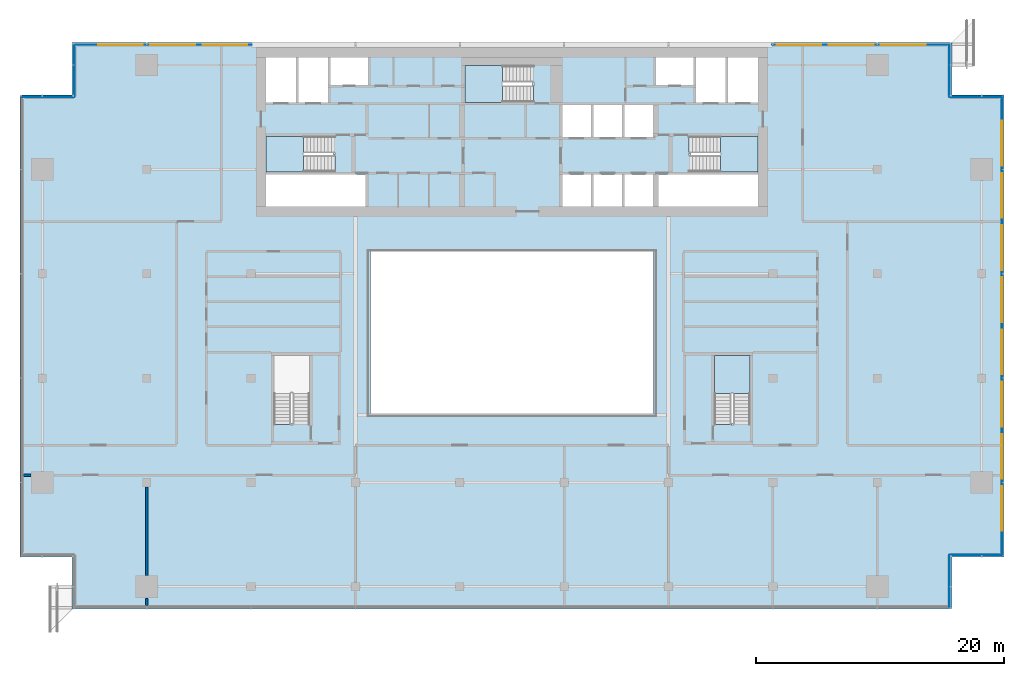
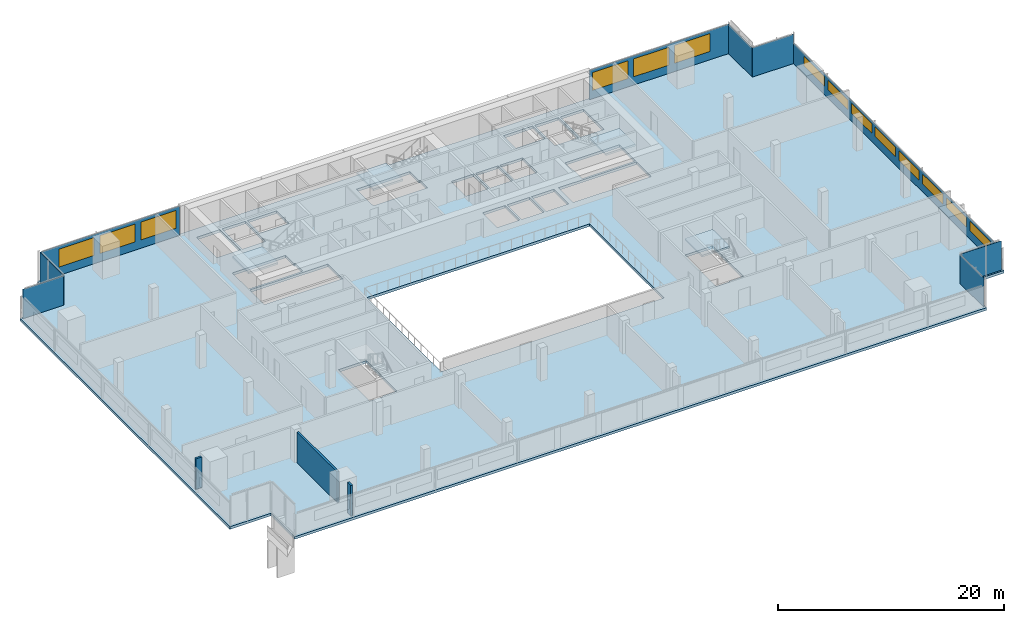
# One storey, part 16 of 24: 14 windows, 9 plates, 5 slabs, 3 walls, 14 openings, 12 elements without a shape of their own.
"""IFC4 building model written with IfcOpenShell, lengths in metres."""

from ifc_helpers import new_model, si_unit, direction, frame, frame_2d, origin, place, context, subcontext, project, spatial, polyline, rectangle, outline, extrude, material, layer, layer_set, type_object, element, fill, aggregate, save


model = new_model("IFC4")

# Units and contexts
model_context = context("Model", 3, precision=1e-05, world=origin(), true_north=direction((0.0, 1.0)))
body_context = subcontext(model_context, "Body", "Model", "MODEL_VIEW")
ifc_project = project(units=[si_unit("LENGTHUNIT", "METRE"), si_unit("AREAUNIT", "SQUARE_METRE"), si_unit("VOLUMEUNIT", "CUBIC_METRE"), si_unit("PLANEANGLEUNIT", "RADIAN"), si_unit("MASSUNIT", "GRAM", prefix="KILO")], contexts=[model_context])

# Site, building, storey
site_placement = place(None, origin())
site = spatial("IfcSite", under=ifc_project, at=site_placement, CompositionType="ELEMENT")
building_placement = place(site_placement, origin())
building = spatial("IfcBuilding", under=site, at=building_placement, Name="Saffron Gate Tower", CompositionType="ELEMENT")
storey_placement = place(building_placement, frame((0.0, 0.0, 190.64990234375)))
storey = spatial("IfcBuildingStorey", under=building, at=storey_placement, Name="L47", CompositionType="ELEMENT", Elevation=190.64990234375)

# Curtain wall, plate, openings, windows
ifc_material_1 = material(Name="Aluminium, bronze anodised", Category="aluminium")
curtain_wall_type_1 = type_object("IfcCurtainWallType", Name="CWS2 curtain wall side facades", PredefinedType="NOTDEFINED", material=ifc_material_1)
curtain_wall_1_placement = place(storey_placement, origin())
curtain_wall_1 = element("IfcCurtainWall", 1, at=curtain_wall_1_placement, inside=storey, type_object=curtain_wall_type_1, Name="CWS2 run 4", PredefinedType="NOTDEFINED")
ifc_material_2 = material(Name="Fritted bronze-tinted laminated glass", Category="glass")
ifc_layer_1 = layer(ifc_material_2, 0.028076171875)
ifc_layer_set_1 = layer_set([ifc_layer_1], Name="CWS2 fixed glass")
plate_type_1 = type_object("IfcPlateType", Name="CWS2 fixed glass", PredefinedType="CURTAIN_PANEL", material=ifc_layer_set_1)
plate_1_placement = place(storey_placement, frame((127.02587890625, 34.387939453125, 0.0), z_axis=(0.0, 0.0, 1.0), x_axis=(0.0, 1.0, 0.0)))
plate_1 = element("IfcPlate", 2, at=plate_1_placement, type_object=plate_type_1, Name="CWS2 glass panel", PredefinedType="CURTAIN_PANEL", context=body_context, shape_type="SweptSolid", body=[
    extrude(rectangle(XDim=36.823974609375, YDim=0.028076171875, at=frame_2d((18.412109375, 0.0))), origin(), (0.0, 0.0, 1.0), 2.2900390625),
])
opening_1_placement = place(plate_1_placement, frame((1.912109375, 0.0, 0.89990234375)))
opening_1 = element("IfcOpeningElement", 3, at=opening_1_placement, cuts=plate_1, Name="Opening W11", PredefinedType="OPENING", context=body_context, shape_type="SweptSolid", body=[
    extrude(rectangle(XDim=3.60009765625, YDim=1.0400390625, at=frame_2d((1.800048828125, 0.52001953125))), frame((0.0, 0.02392578125, 0.0), z_axis=(0.0, -1.0, 0.0), x_axis=(1.0, 0.0, 0.0)), (0.0, 0.0, 1.0), 0.048095703125),
])
opening_2_placement = place(plate_1_placement, frame((6.112060546875, 0.0, 0.89990234375)))
opening_2 = element("IfcOpeningElement", 4, at=opening_2_placement, cuts=plate_1, Name="Opening W11", PredefinedType="OPENING", context=body_context, shape_type="SweptSolid", body=[
    extrude(rectangle(XDim=3.60009765625, YDim=1.0400390625, at=frame_2d((1.800048828125, 0.52001953125))), frame((0.0, 0.02392578125, 0.0), z_axis=(0.0, -1.0, 0.0), x_axis=(1.0, 0.0, 0.0)), (0.0, 0.0, 1.0), 0.048095703125),
])
opening_3_placement = place(plate_1_placement, frame((10.31201171875, 0.0, 0.89990234375)))
opening_3 = element("IfcOpeningElement", 5, at=opening_3_placement, cuts=plate_1, Name="Opening W11", PredefinedType="OPENING", context=body_context, shape_type="SweptSolid", body=[
    extrude(rectangle(XDim=3.60009765625, YDim=1.0400390625, at=frame_2d((1.800048828125, 0.52001953125))), frame((0.0, 0.02392578125, 0.0), z_axis=(0.0, -1.0, 0.0), x_axis=(1.0, 0.0, 0.0)), (0.0, 0.0, 1.0), 0.048095703125),
])
opening_4_placement = place(plate_1_placement, frame((14.511962890625, 0.0, 0.89990234375)))
opening_4 = element("IfcOpeningElement", 6, at=opening_4_placement, cuts=plate_1, Name="Opening W11", PredefinedType="OPENING", context=body_context, shape_type="SweptSolid", body=[
    extrude(rectangle(XDim=3.60009765625, YDim=1.0400390625, at=frame_2d((1.800048828125, 0.52001953125))), frame((0.0, 0.02392578125, 0.0), z_axis=(0.0, -1.0, 0.0), x_axis=(1.0, 0.0, 0.0)), (0.0, 0.0, 1.0), 0.048095703125),
])
opening_5_placement = place(plate_1_placement, frame((18.7119140625, 0.0, 0.89990234375)))
opening_5 = element("IfcOpeningElement", 7, at=opening_5_placement, cuts=plate_1, Name="Opening W11", PredefinedType="OPENING", context=body_context, shape_type="SweptSolid", body=[
    extrude(rectangle(XDim=3.60009765625, YDim=1.0400390625, at=frame_2d((1.800048828125, 0.52001953125))), frame((0.0, 0.02392578125, 0.0), z_axis=(0.0, -1.0, 0.0), x_axis=(1.0, 0.0, 0.0)), (0.0, 0.0, 1.0), 0.048095703125),
])
opening_6_placement = place(plate_1_placement, frame((22.912109375, 0.0, 0.89990234375)))
opening_6 = element("IfcOpeningElement", 8, at=opening_6_placement, cuts=plate_1, Name="Opening W11", PredefinedType="OPENING", context=body_context, shape_type="SweptSolid", body=[
    extrude(rectangle(XDim=3.60009765625, YDim=1.0400390625, at=frame_2d((1.800048828125, 0.52001953125))), frame((0.0, 0.02392578125, 0.0), z_axis=(0.0, -1.0, 0.0), x_axis=(1.0, 0.0, 0.0)), (0.0, 0.0, 1.0), 0.048095703125),
])
opening_7_placement = place(plate_1_placement, frame((27.112060546875, 0.0, 0.89990234375)))
opening_7 = element("IfcOpeningElement", 9, at=opening_7_placement, cuts=plate_1, Name="Opening W11", PredefinedType="OPENING", context=body_context, shape_type="SweptSolid", body=[
    extrude(rectangle(XDim=3.60009765625, YDim=1.0400390625, at=frame_2d((1.800048828125, 0.52001953125))), frame((0.0, 0.02392578125, 0.0), z_axis=(0.0, -1.0, 0.0), x_axis=(1.0, 0.0, 0.0)), (0.0, 0.0, 1.0), 0.048095703125),
])
opening_8_placement = place(plate_1_placement, frame((31.31201171875, 0.0, 0.89990234375)))
opening_8 = element("IfcOpeningElement", 10, at=opening_8_placement, cuts=plate_1, Name="Opening W11", PredefinedType="OPENING", context=body_context, shape_type="SweptSolid", body=[
    extrude(rectangle(XDim=3.60009765625, YDim=1.0400390625, at=frame_2d((1.800048828125, 0.52001953125))), frame((0.0, 0.02392578125, 0.0), z_axis=(0.0, -1.0, 0.0), x_axis=(1.0, 0.0, 0.0)), (0.0, 0.0, 1.0), 0.048095703125),
])
ifc_material_3 = material(Name="Fritted bronze-tinted laminated glass in bronze frame", Category="glass")
ifc_layer_2 = layer(ifc_material_3, 0.06005859375)
ifc_layer_set_2 = layer_set([ifc_layer_2], Name="W11 operable panel 3600x1040")
window_type_1 = type_object("IfcWindowType", Name="W11 operable panel 3600x1040", PartitioningType="DOUBLE_PANEL_HORIZONTAL", PredefinedType="WINDOW", material=ifc_layer_set_2)
window_1_placement = place(opening_1_placement, origin())
window_1 = element("IfcWindow", 11, at=window_1_placement, type_object=window_type_1, Name="W11 operable panel", OverallHeight=1.0400390625, OverallWidth=3.60009765625, PartitioningType="SINGLE_PANEL", PredefinedType="WINDOW", context=body_context, shape_type="SweptSolid", body=[
    extrude(rectangle(XDim=3.60009765625, YDim=1.0400390625, at=frame_2d((1.800048828125, 0.52001953125))), frame((0.0, 0.013671875, 0.0), z_axis=(0.0, -1.0, 0.0), x_axis=(1.0, 0.0, 0.0)), (0.0, 0.0, 1.0), 0.027587890625),
])
fill(opening_1, window_1)
window_2_placement = place(opening_2_placement, origin())
window_2 = element("IfcWindow", 12, at=window_2_placement, type_object=window_type_1, Name="W11 operable panel", OverallHeight=1.0400390625, OverallWidth=3.60009765625, PartitioningType="SINGLE_PANEL", PredefinedType="WINDOW", context=body_context, shape_type="SweptSolid", body=[
    extrude(rectangle(XDim=3.60009765625, YDim=1.0400390625, at=frame_2d((1.800048828125, 0.52001953125))), frame((0.0, 0.013671875, 0.0), z_axis=(0.0, -1.0, 0.0), x_axis=(1.0, 0.0, 0.0)), (0.0, 0.0, 1.0), 0.027587890625),
])
fill(opening_2, window_2)
window_3_placement = place(opening_3_placement, origin())
window_3 = element("IfcWindow", 13, at=window_3_placement, type_object=window_type_1, Name="W11 operable panel", OverallHeight=1.0400390625, OverallWidth=3.60009765625, PartitioningType="SINGLE_PANEL", PredefinedType="WINDOW", context=body_context, shape_type="SweptSolid", body=[
    extrude(rectangle(XDim=3.60009765625, YDim=1.0400390625, at=frame_2d((1.800048828125, 0.52001953125))), frame((0.0, 0.013671875, 0.0), z_axis=(0.0, -1.0, 0.0), x_axis=(1.0, 0.0, 0.0)), (0.0, 0.0, 1.0), 0.027587890625),
])
fill(opening_3, window_3)
window_4_placement = place(opening_4_placement, origin())
window_4 = element("IfcWindow", 14, at=window_4_placement, type_object=window_type_1, Name="W11 operable panel", OverallHeight=1.0400390625, OverallWidth=3.60009765625, PartitioningType="SINGLE_PANEL", PredefinedType="WINDOW", context=body_context, shape_type="SweptSolid", body=[
    extrude(rectangle(XDim=3.60009765625, YDim=1.0400390625, at=frame_2d((1.800048828125, 0.52001953125))), frame((0.0, 0.013671875, 0.0), z_axis=(0.0, -1.0, 0.0), x_axis=(1.0, 0.0, 0.0)), (0.0, 0.0, 1.0), 0.027587890625),
])
fill(opening_4, window_4)
window_5_placement = place(opening_5_placement, origin())
window_5 = element("IfcWindow", 15, at=window_5_placement, type_object=window_type_1, Name="W11 operable panel", OverallHeight=1.0400390625, OverallWidth=3.60009765625, PartitioningType="SINGLE_PANEL", PredefinedType="WINDOW", context=body_context, shape_type="SweptSolid", body=[
    extrude(rectangle(XDim=3.60009765625, YDim=1.0400390625, at=frame_2d((1.800048828125, 0.52001953125))), frame((0.0, 0.013671875, 0.0), z_axis=(0.0, -1.0, 0.0), x_axis=(1.0, 0.0, 0.0)), (0.0, 0.0, 1.0), 0.027587890625),
])
fill(opening_5, window_5)
window_6_placement = place(opening_6_placement, origin())
window_6 = element("IfcWindow", 16, at=window_6_placement, type_object=window_type_1, Name="W11 operable panel", OverallHeight=1.0400390625, OverallWidth=3.60009765625, PartitioningType="SINGLE_PANEL", PredefinedType="WINDOW", context=body_context, shape_type="SweptSolid", body=[
    extrude(rectangle(XDim=3.60009765625, YDim=1.0400390625, at=frame_2d((1.800048828125, 0.52001953125))), frame((0.0, 0.013671875, 0.0), z_axis=(0.0, -1.0, 0.0), x_axis=(1.0, 0.0, 0.0)), (0.0, 0.0, 1.0), 0.027587890625),
])
fill(opening_6, window_6)
window_7_placement = place(opening_7_placement, origin())
window_7 = element("IfcWindow", 17, at=window_7_placement, type_object=window_type_1, Name="W11 operable panel", OverallHeight=1.0400390625, OverallWidth=3.60009765625, PartitioningType="SINGLE_PANEL", PredefinedType="WINDOW", context=body_context, shape_type="SweptSolid", body=[
    extrude(rectangle(XDim=3.60009765625, YDim=1.0400390625, at=frame_2d((1.800048828125, 0.52001953125))), frame((0.0, 0.013671875, 0.0), z_axis=(0.0, -1.0, 0.0), x_axis=(1.0, 0.0, 0.0)), (0.0, 0.0, 1.0), 0.027587890625),
])
fill(opening_7, window_7)
window_8_placement = place(opening_8_placement, origin())
window_8 = element("IfcWindow", 18, at=window_8_placement, type_object=window_type_1, Name="W11 operable panel", OverallHeight=1.0400390625, OverallWidth=3.60009765625, PartitioningType="SINGLE_PANEL", PredefinedType="WINDOW", context=body_context, shape_type="SweptSolid", body=[
    extrude(rectangle(XDim=3.60009765625, YDim=1.0400390625, at=frame_2d((1.800048828125, 0.52001953125))), frame((0.0, 0.013671875, 0.0), z_axis=(0.0, -1.0, 0.0), x_axis=(1.0, 0.0, 0.0)), (0.0, 0.0, 1.0), 0.027587890625),
])
fill(opening_8, window_8)
aggregate(curtain_wall_1, [plate_1, window_1, window_2, window_3, window_4, window_5, window_6, window_7, window_8])

# Curtain wall, plates, openings, windows
curtain_wall_type_2 = type_object("IfcCurtainWallType", Name="CWS3 curtain wall rear facade", PredefinedType="NOTDEFINED", material=ifc_material_1)
curtain_wall_2_placement = place(storey_placement, origin())
curtain_wall_2 = element("IfcCurtainWall", 19, at=curtain_wall_2_placement, inside=storey, type_object=curtain_wall_type_2, Name="CWS3 run 7", PredefinedType="NOTDEFINED")
ifc_material_4 = material(Name="Fritted grey-tinted laminated glass", Category="glass")
ifc_layer_3 = layer(ifc_material_4, 0.028076171875)
ifc_layer_set_3 = layer_set([ifc_layer_3], Name="CWS3 fixed glass")
plate_type_2 = type_object("IfcPlateType", Name="CWS3 fixed glass", PredefinedType="CURTAIN_PANEL", material=ifc_layer_set_3)
plate_2_placement = place(storey_placement, frame((122.81201171875, 75.426025390625, 0.0), z_axis=(0.0, 0.0, 1.0), x_axis=(-1.0, 0.0, 0.0)))
plate_2 = element("IfcPlate", 20, at=plate_2_placement, type_object=plate_type_2, Name="CWS3 glass panel", PredefinedType="CURTAIN_PANEL", context=body_context, shape_type="SweptSolid", body=[
    extrude(rectangle(XDim=14.2470703125, YDim=0.028076171875, at=frame_2d((7.12353515625, 0.0))), origin(), (0.0, 0.0, 1.0), 3.18017578125),
])
opening_9_placement = place(plate_2_placement, frame((1.912109375, 0.0, 0.89990234375)))
opening_9 = element("IfcOpeningElement", 21, at=opening_9_placement, cuts=plate_2, Name="Opening W2", PredefinedType="OPENING", context=body_context, shape_type="SweptSolid", body=[
    extrude(rectangle(XDim=3.60009765625, YDim=1.929931640625, at=frame_2d((1.800048828125, 0.96484375))), frame((0.0, 0.02392578125, 0.0), z_axis=(0.0, -1.0, 0.0), x_axis=(1.0, 0.0, 0.0)), (0.0, 0.0, 1.0), 0.048095703125),
])
opening_10_placement = place(plate_2_placement, frame((6.112060546875, 0.0, 0.89990234375)))
opening_10 = element("IfcOpeningElement", 22, at=opening_10_placement, cuts=plate_2, Name="Opening W2", PredefinedType="OPENING", context=body_context, shape_type="SweptSolid", body=[
    extrude(rectangle(XDim=3.60009765625, YDim=1.929931640625, at=frame_2d((1.800048828125, 0.96484375))), frame((0.0, 0.02392578125, 0.0), z_axis=(0.0, -1.0, 0.0), x_axis=(1.0, 0.0, 0.0)), (0.0, 0.0, 1.0), 0.048095703125),
])
opening_11_placement = place(plate_2_placement, frame((10.31201171875, 0.0, 0.89990234375)))
opening_11 = element("IfcOpeningElement", 23, at=opening_11_placement, cuts=plate_2, Name="Opening W2", PredefinedType="OPENING", context=body_context, shape_type="SweptSolid", body=[
    extrude(rectangle(XDim=3.60009765625, YDim=1.929931640625, at=frame_2d((1.800048828125, 0.96484375))), frame((0.0, 0.02392578125, 0.0), z_axis=(0.0, -1.0, 0.0), x_axis=(1.0, 0.0, 0.0)), (0.0, 0.0, 1.0), 0.048095703125),
])
ifc_layer_4 = layer(ifc_material_3, 0.06005859375)
ifc_layer_set_4 = layer_set([ifc_layer_4], Name="W2 operable panel 3600x1930")
window_type_2 = type_object("IfcWindowType", Name="W2 operable panel 3600x1930", PartitioningType="DOUBLE_PANEL_HORIZONTAL", PredefinedType="WINDOW", material=ifc_layer_set_4)
window_9_placement = place(opening_9_placement, origin())
window_9 = element("IfcWindow", 24, at=window_9_placement, type_object=window_type_2, Name="W2 operable panel", OverallHeight=1.929931640625, OverallWidth=3.60009765625, PartitioningType="SINGLE_PANEL", PredefinedType="WINDOW", context=body_context, shape_type="SweptSolid", body=[
    extrude(rectangle(XDim=3.60009765625, YDim=1.929931640625, at=frame_2d((1.800048828125, 0.96484375))), frame((0.0, 0.013671875, 0.0), z_axis=(0.0, -1.0, 0.0), x_axis=(1.0, 0.0, 0.0)), (0.0, 0.0, 1.0), 0.027587890625),
])
fill(opening_9, window_9)
window_10_placement = place(opening_10_placement, origin())
window_10 = element("IfcWindow", 25, at=window_10_placement, type_object=window_type_2, Name="W2 operable panel", OverallHeight=1.929931640625, OverallWidth=3.60009765625, PartitioningType="SINGLE_PANEL", PredefinedType="WINDOW", context=body_context, shape_type="SweptSolid", body=[
    extrude(rectangle(XDim=3.60009765625, YDim=1.929931640625, at=frame_2d((1.800048828125, 0.96484375))), frame((0.0, 0.013671875, 0.0), z_axis=(0.0, -1.0, 0.0), x_axis=(1.0, 0.0, 0.0)), (0.0, 0.0, 1.0), 0.027587890625),
])
fill(opening_10, window_10)
window_11_placement = place(opening_11_placement, origin())
window_11 = element("IfcWindow", 26, at=window_11_placement, type_object=window_type_2, Name="W2 operable panel", OverallHeight=1.929931640625, OverallWidth=3.60009765625, PartitioningType="SINGLE_PANEL", PredefinedType="WINDOW", context=body_context, shape_type="SweptSolid", body=[
    extrude(rectangle(XDim=3.60009765625, YDim=1.929931640625, at=frame_2d((1.800048828125, 0.96484375))), frame((0.0, 0.013671875, 0.0), z_axis=(0.0, -1.0, 0.0), x_axis=(1.0, 0.0, 0.0)), (0.0, 0.0, 1.0), 0.027587890625),
])
fill(opening_11, window_11)
plate_3_placement = place(storey_placement, frame((66.635009765625, 75.426025390625, 0.0), z_axis=(0.0, 0.0, 1.0), x_axis=(-1.0, 0.0, 0.0)))
plate_3 = element("IfcPlate", 27, at=plate_3_placement, type_object=plate_type_2, Name="CWS3 glass panel", PredefinedType="CURTAIN_PANEL", context=body_context, shape_type="SweptSolid", body=[
    extrude(rectangle(XDim=14.2470703125, YDim=0.028076171875, at=frame_2d((7.12353515625, 0.0))), origin(), (0.0, 0.0, 1.0), 3.18017578125),
])
opening_12_placement = place(plate_3_placement, frame((0.3349609375, 0.0, 0.89990234375)))
opening_12 = element("IfcOpeningElement", 28, at=opening_12_placement, cuts=plate_3, Name="Opening W2", PredefinedType="OPENING", context=body_context, shape_type="SweptSolid", body=[
    extrude(rectangle(XDim=3.60009765625, YDim=1.929931640625, at=frame_2d((1.800048828125, 0.96484375))), frame((0.0, 0.02392578125, 0.0), z_axis=(0.0, -1.0, 0.0), x_axis=(1.0, 0.0, 0.0)), (0.0, 0.0, 1.0), 0.048095703125),
])
opening_13_placement = place(plate_3_placement, frame((4.534912109375, 0.0, 0.89990234375)))
opening_13 = element("IfcOpeningElement", 29, at=opening_13_placement, cuts=plate_3, Name="Opening W2", PredefinedType="OPENING", context=body_context, shape_type="SweptSolid", body=[
    extrude(rectangle(XDim=3.60009765625, YDim=1.929931640625, at=frame_2d((1.800048828125, 0.96484375))), frame((0.0, 0.02392578125, 0.0), z_axis=(0.0, -1.0, 0.0), x_axis=(1.0, 0.0, 0.0)), (0.0, 0.0, 1.0), 0.048095703125),
])
opening_14_placement = place(plate_3_placement, frame((8.735107421875, 0.0, 0.89990234375)))
opening_14 = element("IfcOpeningElement", 30, at=opening_14_placement, cuts=plate_3, Name="Opening W2", PredefinedType="OPENING", context=body_context, shape_type="SweptSolid", body=[
    extrude(rectangle(XDim=3.60009765625, YDim=1.929931640625, at=frame_2d((1.800048828125, 0.96484375))), frame((0.0, 0.02392578125, 0.0), z_axis=(0.0, -1.0, 0.0), x_axis=(1.0, 0.0, 0.0)), (0.0, 0.0, 1.0), 0.048095703125),
])
window_12_placement = place(opening_12_placement, origin())
window_12 = element("IfcWindow", 31, at=window_12_placement, type_object=window_type_2, Name="W2 operable panel", OverallHeight=1.929931640625, OverallWidth=3.60009765625, PartitioningType="SINGLE_PANEL", PredefinedType="WINDOW", context=body_context, shape_type="SweptSolid", body=[
    extrude(rectangle(XDim=3.60009765625, YDim=1.929931640625, at=frame_2d((1.800048828125, 0.96484375))), frame((0.0, 0.013671875, 0.0), z_axis=(0.0, -1.0, 0.0), x_axis=(1.0, 0.0, 0.0)), (0.0, 0.0, 1.0), 0.027587890625),
])
fill(opening_12, window_12)
window_13_placement = place(opening_13_placement, origin())
window_13 = element("IfcWindow", 32, at=window_13_placement, type_object=window_type_2, Name="W2 operable panel", OverallHeight=1.929931640625, OverallWidth=3.60009765625, PartitioningType="SINGLE_PANEL", PredefinedType="WINDOW", context=body_context, shape_type="SweptSolid", body=[
    extrude(rectangle(XDim=3.60009765625, YDim=1.929931640625, at=frame_2d((1.800048828125, 0.96484375))), frame((0.0, 0.013671875, 0.0), z_axis=(0.0, -1.0, 0.0), x_axis=(1.0, 0.0, 0.0)), (0.0, 0.0, 1.0), 0.027587890625),
])
fill(opening_13, window_13)
window_14_placement = place(opening_14_placement, origin())
window_14 = element("IfcWindow", 33, at=window_14_placement, type_object=window_type_2, Name="W2 operable panel", OverallHeight=1.929931640625, OverallWidth=3.60009765625, PartitioningType="SINGLE_PANEL", PredefinedType="WINDOW", context=body_context, shape_type="SweptSolid", body=[
    extrude(rectangle(XDim=3.60009765625, YDim=1.929931640625, at=frame_2d((1.800048828125, 0.96484375))), frame((0.0, 0.013671875, 0.0), z_axis=(0.0, -1.0, 0.0), x_axis=(1.0, 0.0, 0.0)), (0.0, 0.0, 1.0), 0.027587890625),
])
fill(opening_14, window_14)
aggregate(curtain_wall_2, [plate_2, plate_3, window_9, window_10, window_11, window_12, window_13, window_14])

# Curtain wall, plate
curtain_wall_type_3 = type_object("IfcCurtainWallType", Name="CWS4 curtain wall corner returns", PredefinedType="NOTDEFINED", material=ifc_material_1)
curtain_wall_3_placement = place(storey_placement, origin())
curtain_wall_3 = element("IfcCurtainWall", 34, at=curtain_wall_3_placement, inside=storey, type_object=curtain_wall_type_3, Name="CWS4 run 2", PredefinedType="NOTDEFINED")
ifc_layer_5 = layer(ifc_material_2, 0.028076171875)
ifc_layer_set_5 = layer_set([ifc_layer_5], Name="CWS4 fixed glass")
plate_type_3 = type_object("IfcPlateType", Name="CWS4 fixed glass", PredefinedType="CURTAIN_PANEL", material=ifc_layer_set_5)
plate_4_placement = place(storey_placement, frame((122.825927734375, 30.18798828125, 0.0), z_axis=(0.0, 0.0, 1.0), x_axis=(0.0, 1.0, 0.0)))
plate_4 = element("IfcPlate", 35, at=plate_4_placement, type_object=plate_type_3, Name="CWS4 glass panel", PredefinedType="CURTAIN_PANEL", context=body_context, shape_type="SweptSolid", body=[
    extrude(rectangle(XDim=4.172119140625, YDim=0.028076171875, at=frame_2d((2.0859375, 0.0))), origin(), (0.0, 0.0, 1.0), 3.18017578125),
])
aggregate(curtain_wall_3, [plate_4])

curtain_wall_4_placement = place(storey_placement, origin())
curtain_wall_4 = element("IfcCurtainWall", 36, at=curtain_wall_4_placement, inside=storey, type_object=curtain_wall_type_3, Name="CWS4 run 3", PredefinedType="NOTDEFINED")
plate_5_placement = place(storey_placement, frame((122.840087890625, 34.3740234375, 0.0), z_axis=(0.0, 0.0, 1.0), x_axis=(1.0, 0.0, 0.0)))
plate_5 = element("IfcPlate", 37, at=plate_5_placement, type_object=plate_type_3, Name="CWS4 glass panel", PredefinedType="CURTAIN_PANEL", context=body_context, shape_type="SweptSolid", body=[
    extrude(rectangle(XDim=4.171875, YDim=0.028076171875, at=frame_2d((2.0859375, 0.0))), origin(), (0.0, 0.0, 1.0), 3.18017578125),
])
aggregate(curtain_wall_4, [plate_5])

curtain_wall_5_placement = place(storey_placement, origin())
curtain_wall_5 = element("IfcCurtainWall", 38, at=curtain_wall_5_placement, inside=storey, type_object=curtain_wall_type_3, Name="CWS4 run 5", PredefinedType="NOTDEFINED")
plate_6_placement = place(storey_placement, frame((127.011962890625, 71.22607421875, 0.0), z_axis=(0.0, 0.0, 1.0), x_axis=(-1.0, 0.0, 0.0)))
plate_6 = element("IfcPlate", 39, at=plate_6_placement, type_object=plate_type_3, Name="CWS4 glass panel", PredefinedType="CURTAIN_PANEL", context=body_context, shape_type="SweptSolid", body=[
    extrude(rectangle(XDim=4.171875, YDim=0.028076171875, at=frame_2d((2.0859375, 0.0))), origin(), (0.0, 0.0, 1.0), 3.18017578125),
])
aggregate(curtain_wall_5, [plate_6])

curtain_wall_6_placement = place(storey_placement, origin())
curtain_wall_6 = element("IfcCurtainWall", 40, at=curtain_wall_6_placement, inside=storey, type_object=curtain_wall_type_3, Name="CWS4 run 6", PredefinedType="NOTDEFINED")
plate_7_placement = place(storey_placement, frame((122.825927734375, 71.239990234375, 0.0), z_axis=(0.0, 0.0, 1.0), x_axis=(0.0, 1.0, 0.0)))
plate_7 = element("IfcPlate", 41, at=plate_7_placement, type_object=plate_type_3, Name="CWS4 glass panel", PredefinedType="CURTAIN_PANEL", context=body_context, shape_type="SweptSolid", body=[
    extrude(rectangle(XDim=4.172119140625, YDim=0.028076171875, at=frame_2d((2.0859375, 0.0))), origin(), (0.0, 0.0, 1.0), 3.18017578125),
])
aggregate(curtain_wall_6, [plate_7])

curtain_wall_7_placement = place(storey_placement, origin())
curtain_wall_7 = element("IfcCurtainWall", 42, at=curtain_wall_7_placement, inside=storey, type_object=curtain_wall_type_3, Name="CWS4 run 8", PredefinedType="NOTDEFINED")
plate_8_placement = place(storey_placement, frame((52.3740234375, 75.412109375, 0.0), z_axis=(0.0, 0.0, 1.0), x_axis=(0.0, -1.0, 0.0)))
plate_8 = element("IfcPlate", 43, at=plate_8_placement, type_object=plate_type_3, Name="CWS4 glass panel", PredefinedType="CURTAIN_PANEL", context=body_context, shape_type="SweptSolid", body=[
    extrude(rectangle(XDim=4.172119140625, YDim=0.028076171875, at=frame_2d((2.0859375, 0.0))), origin(), (0.0, 0.0, 1.0), 3.18017578125),
])
aggregate(curtain_wall_7, [plate_8])

curtain_wall_8_placement = place(storey_placement, origin())
curtain_wall_8 = element("IfcCurtainWall", 44, at=curtain_wall_8_placement, inside=storey, type_object=curtain_wall_type_3, Name="CWS4 run 9", PredefinedType="NOTDEFINED")
plate_9_placement = place(storey_placement, frame((52.360107421875, 71.22607421875, 0.0), z_axis=(0.0, 0.0, 1.0), x_axis=(-1.0, 0.0, 0.0)))
plate_9 = element("IfcPlate", 45, at=plate_9_placement, type_object=plate_type_3, Name="CWS4 glass panel", PredefinedType="CURTAIN_PANEL", context=body_context, shape_type="SweptSolid", body=[
    extrude(rectangle(XDim=4.172119140625, YDim=0.028076171875, at=frame_2d((2.0859375, 0.0))), origin(), (0.0, 0.0, 1.0), 3.18017578125),
])
aggregate(curtain_wall_8, [plate_9])

# Slab
ifc_material_5 = material(Name="Concrete C40", Category="concrete")
ifc_layer_6 = layer(ifc_material_5, 0.280029296875)
ifc_layer_set_6 = layer_set([ifc_layer_6], Name="S2 FLOOR SLAB 280 CONCRETE C40")
slab_type_1 = type_object("IfcSlabType", Name="S2 FLOOR SLAB 280 CONCRETE C40", PredefinedType="FLOOR", material=ifc_layer_set_6)
slab_1_placement = place(storey_placement, frame((0.0, 0.0, -0.27978515625)))
element("IfcSlab", 46, at=slab_1_placement, inside=storey, type_object=slab_type_1, Name="S2 FLOOR SLAB", PredefinedType="FLOOR", context=body_context, shape_type="SweptSolid", body=[
    extrude(outline(polyline([(48.0, 34.199951171875), (52.199951171875, 34.199951171875), (52.199951171875, 30.0), (123.0, 30.0), (123.0, 34.199951171875), (127.199951171875, 34.199951171875), (127.199951171875, 71.39990234375), (123.0, 71.39990234375), (123.0, 75.60009765625), (52.199951171875, 75.60009765625), (52.199951171875, 71.39990234375), (48.0, 71.39990234375), (48.0, 34.199951171875)]), holes=[polyline([(67.800048828125, 62.39990234375), (67.800048828125, 65.0), (75.800048828125, 65.0), (75.800048828125, 62.39990234375), (67.800048828125, 62.39990234375)]), polyline([(67.800048828125, 65.199951171875), (67.800048828125, 68.050048828125), (73.25, 68.050048828125), (73.25, 66.550048828125), (73.34912109375, 66.550048828125), (73.34912109375, 65.199951171875), (67.800048828125, 65.199951171875)]), polyline([(67.800048828125, 70.800048828125), (67.800048828125, 74.39990234375), (70.199951171875, 74.39990234375), (70.199951171875, 70.800048828125), (67.800048828125, 70.800048828125)]), polyline([(68.449951171875, 44.85107421875), (68.449951171875, 50.39990234375), (71.300048828125, 50.39990234375), (71.300048828125, 44.949951171875), (69.800048828125, 44.949951171875), (69.800048828125, 44.85107421875), (68.449951171875, 44.85107421875)]), polyline([(70.39990234375, 70.800048828125), (70.39990234375, 74.39990234375), (72.800048828125, 74.39990234375), (72.800048828125, 70.800048828125), (70.39990234375, 70.800048828125)]), polyline([(73.0, 72.199951171875), (73.0, 74.39990234375), (76.0, 74.39990234375), (76.0, 72.199951171875), (73.0, 72.199951171875)]), polyline([(76.199951171875, 45.60009765625), (76.199951171875, 58.800048828125), (99.0, 58.800048828125), (99.0, 45.60009765625), (76.199951171875, 45.60009765625)]), polyline([(83.800048828125, 70.800048828125), (83.800048828125, 73.75), (89.25, 73.75), (89.25, 72.14990234375), (89.34912109375, 72.14990234375), (89.34912109375, 70.800048828125), (83.800048828125, 70.800048828125)]), polyline([(91.64990234375, 62.39990234375), (91.64990234375, 65.0), (93.949951171875, 65.0), (93.949951171875, 62.39990234375), (91.64990234375, 62.39990234375)]), polyline([(91.64990234375, 68.0), (91.64990234375, 70.60009765625), (93.949951171875, 70.60009765625), (93.949951171875, 68.0), (91.64990234375, 68.0)]), polyline([(94.14990234375, 62.39990234375), (94.14990234375, 65.0), (96.449951171875, 65.0), (96.449951171875, 62.39990234375), (94.14990234375, 62.39990234375)]), polyline([(94.14990234375, 68.0), (94.14990234375, 70.60009765625), (96.449951171875, 70.60009765625), (96.449951171875, 68.0), (94.14990234375, 68.0)]), polyline([(96.64990234375, 62.39990234375), (96.64990234375, 65.0), (98.949951171875, 65.0), (98.949951171875, 62.39990234375), (96.64990234375, 62.39990234375)]), polyline([(96.64990234375, 68.0), (96.64990234375, 70.60009765625), (98.949951171875, 70.60009765625), (98.949951171875, 68.0), (96.64990234375, 68.0)]), polyline([(99.199951171875, 72.199951171875), (99.199951171875, 74.39990234375), (102.199951171875, 74.39990234375), (102.199951171875, 72.199951171875), (99.199951171875, 72.199951171875)]), polyline([(99.39990234375, 62.39990234375), (99.39990234375, 65.0), (107.39990234375, 65.0), (107.39990234375, 62.39990234375), (99.39990234375, 62.39990234375)]), polyline([(101.85107421875, 66.699951171875), (101.85107421875, 68.050048828125), (107.39990234375, 68.050048828125), (107.39990234375, 65.199951171875), (101.949951171875, 65.199951171875), (101.949951171875, 66.699951171875), (101.85107421875, 66.699951171875)]), polyline([(102.39990234375, 70.800048828125), (102.39990234375, 74.39990234375), (104.800048828125, 74.39990234375), (104.800048828125, 70.800048828125), (102.39990234375, 70.800048828125)]), polyline([(103.89990234375, 44.85107421875), (103.89990234375, 50.39990234375), (106.75, 50.39990234375), (106.75, 44.949951171875), (105.25, 44.949951171875), (105.25, 44.85107421875), (103.89990234375, 44.85107421875)]), polyline([(105.0, 70.800048828125), (105.0, 74.39990234375), (107.39990234375, 74.39990234375), (107.39990234375, 70.800048828125), (105.0, 70.800048828125)])]), origin(), (0.0, 0.0, 1.0), 0.27978515625),
])

# Stair, slab
stair_type = type_object("IfcStairType", Name="ST7 Stair 1350 wide, 20 risers of 180", PredefinedType="HALF_TURN_STAIR", material=ifc_material_5)
stair_1_placement = place(storey_placement, origin())
stair_1 = element("IfcStair", 47, at=stair_1_placement, inside=storey, type_object=stair_type, Name="L47 Exit stair A", PredefinedType="HALF_TURN_STAIR")
ifc_layer_7 = layer(ifc_material_5, 0.199951171875)
ifc_layer_set_7 = layer_set([ifc_layer_7], Name="SL1 Stair landing 200")
slab_type_2 = type_object("IfcSlabType", Name="SL1 Stair landing 200", PredefinedType="LANDING", material=ifc_layer_set_7)
slab_2_placement = place(storey_placement, frame((0.0, 0.0, 1.60009765625)))
slab_2 = element("IfcSlab", 48, at=slab_2_placement, type_object=slab_type_2, Name="ST-A landing 1", PredefinedType="LANDING", context=body_context, shape_type="SweptSolid", body=[
    extrude(outline(polyline([(70.830078125, 68.050048828125), (67.800048828125, 68.050048828125), (67.800048828125, 65.199951171875), (70.830078125, 65.199951171875), (70.830078125, 68.050048828125)])), origin(), (0.0, 0.0, 1.0), 0.199951171875),
])
aggregate(stair_1, [slab_2])

stair_2_placement = place(storey_placement, origin())
stair_2 = element("IfcStair", 49, at=stair_2_placement, inside=storey, type_object=stair_type, Name="L47 Exit stair B", PredefinedType="HALF_TURN_STAIR")
slab_3_placement = place(storey_placement, frame((0.0, 0.0, 1.60009765625)))
slab_3 = element("IfcSlab", 50, at=slab_3_placement, type_object=slab_type_2, Name="ST-B landing 1", PredefinedType="LANDING", context=body_context, shape_type="SweptSolid", body=[
    extrude(outline(polyline([(104.3701171875, 65.199951171875), (107.39990234375, 65.199951171875), (107.39990234375, 68.050048828125), (104.3701171875, 68.050048828125), (104.3701171875, 65.199951171875)])), origin(), (0.0, 0.0, 1.0), 0.199951171875),
])
aggregate(stair_2, [slab_3])

stair_3_placement = place(storey_placement, origin())
stair_3 = element("IfcStair", 51, at=stair_3_placement, inside=storey, type_object=stair_type, Name="L47 Exit stair C", PredefinedType="HALF_TURN_STAIR")
slab_4_placement = place(storey_placement, frame((0.0, 0.0, 1.60009765625)))
slab_4 = element("IfcSlab", 52, at=slab_4_placement, type_object=slab_type_2, Name="ST-C landing 1", PredefinedType="LANDING", context=body_context, shape_type="SweptSolid", body=[
    extrude(outline(polyline([(86.830078125, 73.75), (83.800048828125, 73.75), (83.800048828125, 70.800048828125), (86.830078125, 70.800048828125), (86.830078125, 73.75)])), origin(), (0.0, 0.0, 1.0), 0.199951171875),
])
aggregate(stair_3, [slab_4])

stair_4_placement = place(storey_placement, origin())
stair_4 = element("IfcStair", 53, at=stair_4_placement, inside=storey, type_object=stair_type, Name="L47 Exit stair E", PredefinedType="HALF_TURN_STAIR")
slab_5_placement = place(storey_placement, frame((0.0, 0.0, 1.60009765625)))
slab_5 = element("IfcSlab", 54, at=slab_5_placement, type_object=slab_type_2, Name="ST-E landing 1", PredefinedType="LANDING", context=body_context, shape_type="SweptSolid", body=[
    extrude(outline(polyline([(106.75, 47.3701171875), (106.75, 50.39990234375), (103.89990234375, 50.39990234375), (103.89990234375, 47.3701171875), (106.75, 47.3701171875)])), origin(), (0.0, 0.0, 1.0), 0.199951171875),
])
aggregate(stair_4, [slab_5])

# Walls
ifc_material_6 = material(Name="Clay brick masonry, rendered", Category="masonry")
ifc_layer_8 = layer(ifc_material_6, 0.199951171875)
ifc_layer_set_8 = layer_set([ifc_layer_8], Name="PW3 Corridor wall 200")
wall_type_1 = type_object("IfcWallType", Name="PW3 Corridor wall 200", PredefinedType="PARTITIONING", material=ifc_layer_set_8)
wall_1_placement = place(storey_placement, frame((48.280029296875, 40.800048828125, 0.0), z_axis=(0.0, 0.0, 1.0), x_axis=(1.0, 0.0, 0.0)))
element("IfcWall", 55, at=wall_1_placement, inside=storey, type_object=wall_type_1, Name="Wall C5-1", PredefinedType="PARTITIONING", context=body_context, shape_type="SweptSolid", body=[
    extrude(rectangle(XDim=0.599853515625, YDim=0.199951171875, at=frame_2d((0.2998046875, 0.0))), origin(), (0.0, 0.0, 1.0), 3.300048828125),
])
ifc_layer_9 = layer(ifc_material_6, 0.199951171875)
ifc_layer_set_9 = layer_set([ifc_layer_9], Name="PW5 Room wall 200")
wall_type_2 = type_object("IfcWallType", Name="PW5 Room wall 200", PredefinedType="PARTITIONING", material=ifc_layer_set_9)
wall_2_placement = place(storey_placement, frame((58.199951171875, 30.8798828125, 0.0), z_axis=(0.0, 0.0, 1.0), x_axis=(0.0, -1.0, 0.0)))
element("IfcWall", 56, at=wall_2_placement, inside=storey, type_object=wall_type_2, Name="Wall C5-26", PredefinedType="PARTITIONING", context=body_context, shape_type="SweptSolid", body=[
    extrude(rectangle(XDim=0.599853515625, YDim=0.199951171875, at=frame_2d((0.2998046875, 0.0))), origin(), (0.0, 0.0, 1.0), 3.300048828125),
])
wall_3_placement = place(storey_placement, frame((58.199951171875, 39.830078125, 0.0), z_axis=(0.0, 0.0, 1.0), x_axis=(0.0, -1.0, 0.0)))
element("IfcWall", 57, at=wall_3_placement, inside=storey, type_object=wall_type_2, Name="Wall C5-27", PredefinedType="PARTITIONING", context=body_context, shape_type="SweptSolid", body=[
    extrude(rectangle(XDim=7.110107421875, YDim=0.199951171875, at=frame_2d((3.55517578125, 0.0))), origin(), (0.0, 0.0, 1.0), 3.300048828125),
])

save(model, "model.ifc")
